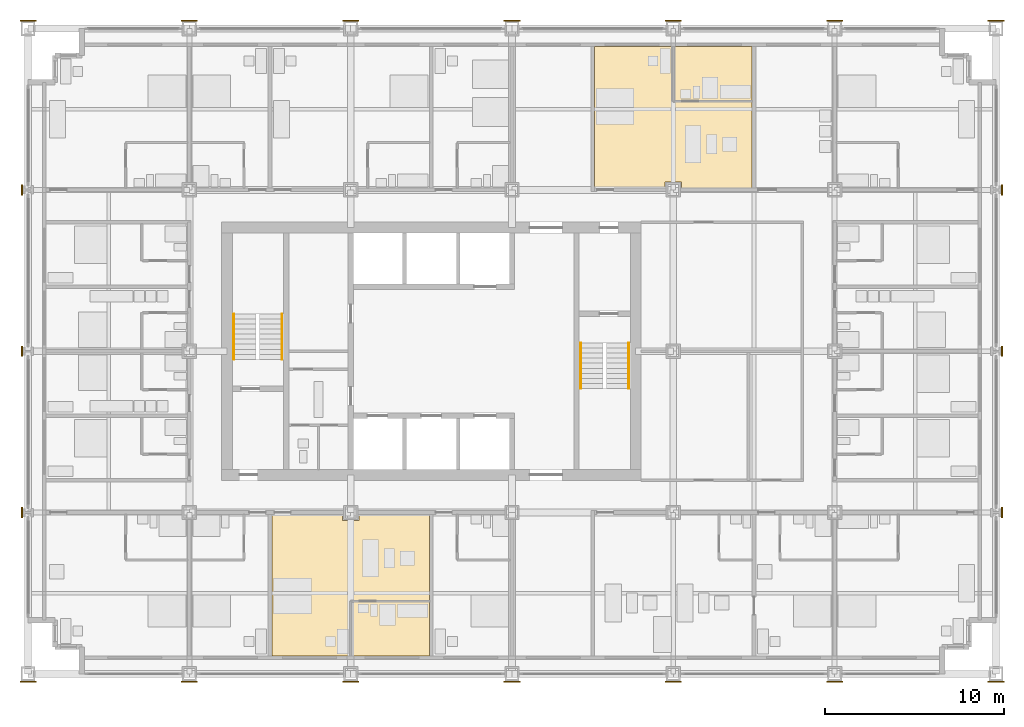
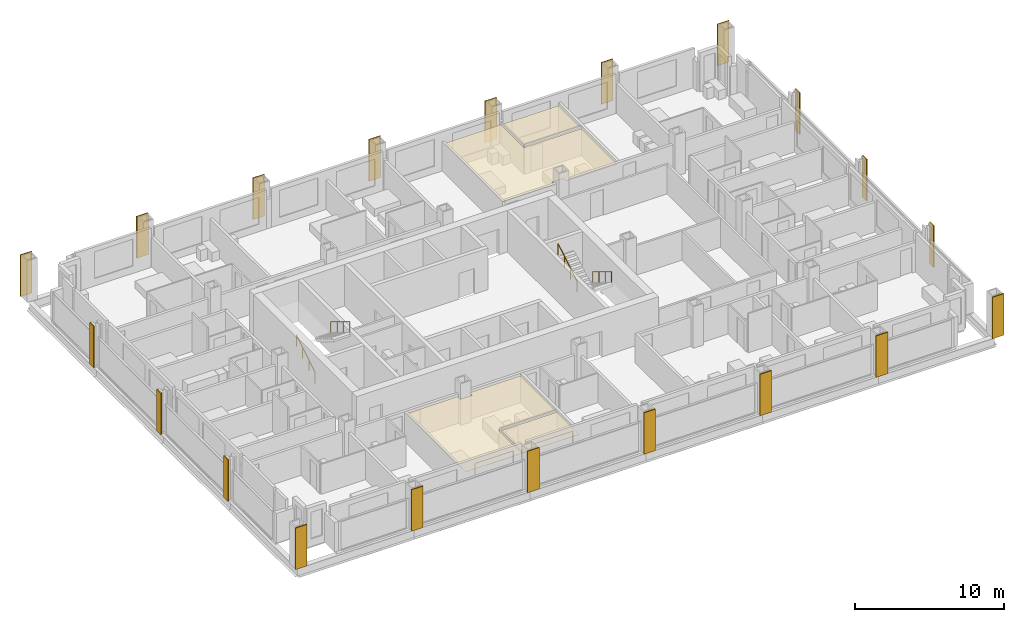
# One storey, part 16 of 18: 24 coverings, 4 railings.
"""IFC4 building model written with IfcOpenShell, lengths in metres."""

from ifc_helpers import new_model, si_unit, direction, frame, origin, origin_2d, place, context, subcontext, project, spatial, polyline, rectangle, circle, outline, extrude, material, layer, layer_set, type_object, element, save


model = new_model("IFC4")

# Units and contexts
model_context = context("Model", 3, precision=1e-05, world=origin(), true_north=direction((0.0, 1.0)))
body_context = subcontext(model_context, "Body", "Model", "MODEL_VIEW")
ifc_project = project(units=[si_unit("LENGTHUNIT", "METRE"), si_unit("AREAUNIT", "SQUARE_METRE"), si_unit("VOLUMEUNIT", "CUBIC_METRE"), si_unit("PLANEANGLEUNIT", "RADIAN"), si_unit("MASSUNIT", "GRAM", prefix="KILO")], contexts=[model_context])

# Site, building, storey
site_placement = place(None, origin())
site = spatial("IfcSite", under=ifc_project, at=site_placement, CompositionType="ELEMENT")
building_placement = place(site_placement, origin())
building = spatial("IfcBuilding", under=site, at=building_placement, Name="Loomwork Tower", CompositionType="ELEMENT")
storey_placement = place(building_placement, frame((0.0, 0.0, 51.800048828125)))
storey = spatial("IfcBuildingStorey", under=building, at=storey_placement, Name="L12", CompositionType="ELEMENT", Elevation=51.800048828125)

# Railings
ifc_material_1 = material(Name="Stainless steel handrail", Category="steel")
railing_type = type_object("IfcRailingType", Name="Handrail 900", PredefinedType="HANDRAIL", material=ifc_material_1)
railing_1_placement = place(storey_placement, frame((11.485107421875, 17.550048828125, 0.169921875)))
element("IfcRailing", 1, at=railing_1_placement, inside=storey, type_object=railing_type, Name="Stair A handrail flight 1 L12", PredefinedType="HANDRAIL", context=body_context, shape_type="SweptSolid", body=[
    extrude(circle(Radius=0.02392578125, at=origin_2d()), frame((0.0, 0.0, 0.8759765625), z_axis=(0.0, 0.85478489116, 0.518982456201), x_axis=(-1.0, 0.0, 0.0)), (0.0, 0.0, 1.0), 2.9482421875),
    extrude(circle(Radius=0.02099609375, at=origin_2d()), origin(), (0.0, 0.0, 1.0), 0.851806640625),
    extrude(circle(Radius=0.02099609375, at=origin_2d()), frame((0.0, 0.840087890625, 0.510009765625)), (0.0, 0.0, 1.0), 0.851806640625),
    extrude(circle(Radius=0.02099609375, at=origin_2d()), frame((0.0, 1.679931640625, 1.02001953125)), (0.0, 0.0, 1.0), 0.851806640625),
    extrude(circle(Radius=0.02099609375, at=origin_2d()), frame((0.0, 2.52001953125, 1.530029296875)), (0.0, 0.0, 1.0), 0.851806640625),
])
for number, where, name in (
    (2, (14.1650390625, 20.070068359375, 1.869873046875), "Stair A handrail flight 2 L12"),
    (3, (33.514892578125, 18.449951171875, 0.169921875), "Stair B handrail flight 1 L12"),
):
    element("IfcRailing", number, at=place(storey_placement, frame(where)), inside=storey, type_object=railing_type, Name=name, PredefinedType="HANDRAIL", context=body_context, shape_type="SweptSolid", body=[
        extrude(circle(Radius=0.02392578125, at=origin_2d()), frame((0.0, 0.0, 0.8759765625), z_axis=(0.0, -0.85478489116, 0.518982456201), x_axis=(1.0, 0.0, 0.0)), (0.0, 0.0, 1.0), 2.9482421875),
        extrude(circle(Radius=0.02099609375, at=origin_2d()), origin(), (0.0, 0.0, 1.0), 0.851806640625),
        extrude(circle(Radius=0.02099609375, at=origin_2d()), frame((0.0, -0.840087890625, 0.510009765625)), (0.0, 0.0, 1.0), 0.851806640625),
        extrude(circle(Radius=0.02099609375, at=origin_2d()), frame((0.0, -1.679931640625, 1.02001953125)), (0.0, 0.0, 1.0), 0.851806640625),
        extrude(circle(Radius=0.02099609375, at=origin_2d()), frame((0.0, -2.52001953125, 1.530029296875)), (0.0, 0.0, 1.0), 0.851806640625),
    ])
railing_2_placement = place(storey_placement, frame((30.8349609375, 15.929931640625, 1.869873046875)))
element("IfcRailing", 4, at=railing_2_placement, inside=storey, type_object=railing_type, Name="Stair B handrail flight 2 L12", PredefinedType="HANDRAIL", context=body_context, shape_type="SweptSolid", body=[
    extrude(circle(Radius=0.02392578125, at=origin_2d()), frame((0.0, 0.0, 0.8759765625), z_axis=(0.0, 0.85478489116, 0.518982456201), x_axis=(-1.0, 0.0, 0.0)), (0.0, 0.0, 1.0), 2.9482421875),
    extrude(circle(Radius=0.02099609375, at=origin_2d()), origin(), (0.0, 0.0, 1.0), 0.851806640625),
    extrude(circle(Radius=0.02099609375, at=origin_2d()), frame((0.0, 0.840087890625, 0.510009765625)), (0.0, 0.0, 1.0), 0.851806640625),
    extrude(circle(Radius=0.02099609375, at=origin_2d()), frame((0.0, 1.679931640625, 1.02001953125)), (0.0, 0.0, 1.0), 0.851806640625),
    extrude(circle(Radius=0.02099609375, at=origin_2d()), frame((0.0, 2.52001953125, 1.530029296875)), (0.0, 0.0, 1.0), 0.851806640625),
])

# Coverings
ifc_material_2 = material(Name="Limestone", Category="masonry")
ifc_layer_1 = layer(ifc_material_2, 0.080078125)
ifc_layer_set_1 = layer_set([ifc_layer_1], Name="Limestone pier facing 80")
covering_type_1 = type_object("IfcCoveringType", Name="Limestone pier facing 80", PredefinedType="CLADDING", material=ifc_layer_set_1)
covering_1_placement = place(storey_placement, frame((0.0, -0.43994140625, 0.0), z_axis=(0.0, 0.0, 1.0), x_axis=(1.0, 0.0, 0.0)))
element("IfcCovering", 5, at=covering_1_placement, inside=storey, type_object=covering_type_1, Name="Pier facing D/2 L12", PredefinedType="CLADDING", context=body_context, shape_type="SweptSolid", body=[
    extrude(rectangle(XDim=0.89990234375, YDim=0.080078125, at=origin_2d()), origin(), (0.0, 0.0, 1.0), 3.39990234375),
])
for number, where, z_axis, x_axis, name in (
    (6, (-0.339599609375, 9.0, 0.0), (0.0, 0.0, 1.0), (1.0, 0.0, 0.0), "Pier facing E/2 L12"),
    (7, (-0.339599609375, 18.0, 0.0), (0.0, 0.0, 1.0), (1.0, 0.0, 0.0), "Pier facing F/2 L12"),
    (8, (-0.339599609375, 27.0, 0.0), (0.0, 0.0, 1.0), (1.0, 0.0, 0.0), "Pier facing G/2 L12"),
):
    element("IfcCovering", number, at=place(storey_placement, frame(where, z_axis=z_axis, x_axis=x_axis)), inside=storey, type_object=covering_type_1, Name=name, PredefinedType="CLADDING", context=body_context, shape_type="SweptSolid", body=[
        extrude(rectangle(XDim=0.080078125, YDim=0.577392578125, at=origin_2d()), origin(), (0.0, 0.0, 1.0), 3.39990234375),
    ])
for number, where, z_axis, x_axis, name in (
    (9, (0.0, 36.43994140625, 0.0), (0.0, 0.0, 1.0), (1.0, 0.0, 0.0), "Pier facing H/2 L12"),
    (10, (9.0, -0.43994140625, 0.0), (0.0, 0.0, 1.0), (1.0, 0.0, 0.0), "Pier facing D/3 L12"),
    (11, (9.0, 36.43994140625, 0.0), (0.0, 0.0, 1.0), (1.0, 0.0, 0.0), "Pier facing H/3 L12"),
    (12, (18.0, -0.43994140625, 0.0), (0.0, 0.0, 1.0), (1.0, 0.0, 0.0), "Pier facing D/4 L12"),
    (13, (18.0, 36.43994140625, 0.0), (0.0, 0.0, 1.0), (1.0, 0.0, 0.0), "Pier facing H/4 L12"),
    (14, (27.0, -0.43994140625, 0.0), (0.0, 0.0, 1.0), (1.0, 0.0, 0.0), "Pier facing D/5 L12"),
    (15, (27.0, 36.43994140625, 0.0), (0.0, 0.0, 1.0), (1.0, 0.0, 0.0), "Pier facing H/5 L12"),
    (16, (36.0, -0.43994140625, 0.0), (0.0, 0.0, 1.0), (1.0, 0.0, 0.0), "Pier facing D/6 L12"),
    (17, (36.0, 36.43994140625, 0.0), (0.0, 0.0, 1.0), (1.0, 0.0, 0.0), "Pier facing H/6 L12"),
    (18, (45.0, -0.43994140625, 0.0), (0.0, 0.0, 1.0), (1.0, 0.0, 0.0), "Pier facing D/7 L12"),
    (19, (45.0, 36.43994140625, 0.0), (0.0, 0.0, 1.0), (1.0, 0.0, 0.0), "Pier facing H/7 L12"),
    (20, (54.0, -0.43994140625, 0.0), (0.0, 0.0, 1.0), (1.0, 0.0, 0.0), "Pier facing D/8 L12"),
):
    element("IfcCovering", number, at=place(storey_placement, frame(where, z_axis=z_axis, x_axis=x_axis)), inside=storey, type_object=covering_type_1, Name=name, PredefinedType="CLADDING", context=body_context, shape_type="SweptSolid", body=[
        extrude(rectangle(XDim=0.89990234375, YDim=0.080078125, at=origin_2d()), origin(), (0.0, 0.0, 1.0), 3.39990234375),
    ])
for number, where, z_axis, x_axis, name in (
    (21, (54.339599609375, 9.0, 0.0), (0.0, 0.0, 1.0), (1.0, 0.0, 0.0), "Pier facing E/8 L12"),
    (22, (54.339599609375, 18.0, 0.0), (0.0, 0.0, 1.0), (1.0, 0.0, 0.0), "Pier facing F/8 L12"),
    (23, (54.339599609375, 27.0, 0.0), (0.0, 0.0, 1.0), (1.0, 0.0, 0.0), "Pier facing G/8 L12"),
):
    element("IfcCovering", number, at=place(storey_placement, frame(where, z_axis=z_axis, x_axis=x_axis)), inside=storey, type_object=covering_type_1, Name=name, PredefinedType="CLADDING", context=body_context, shape_type="SweptSolid", body=[
        extrude(rectangle(XDim=0.080078125, YDim=0.577392578125, at=origin_2d()), origin(), (0.0, 0.0, 1.0), 3.39990234375),
    ])
covering_2_placement = place(storey_placement, frame((54.0, 36.43994140625, 0.0), z_axis=(0.0, 0.0, 1.0), x_axis=(1.0, 0.0, 0.0)))
element("IfcCovering", 24, at=covering_2_placement, inside=storey, type_object=covering_type_1, Name="Pier facing H/8 L12", PredefinedType="CLADDING", context=body_context, shape_type="SweptSolid", body=[
    extrude(rectangle(XDim=0.89990234375, YDim=0.080078125, at=origin_2d()), origin(), (0.0, 0.0, 1.0), 3.39990234375),
])
ifc_material_3 = material(Name="Mineral fibre acoustic tile on suspension grid")
ifc_layer_2 = layer(ifc_material_3, 0.02490234375)
ifc_layer_set_2 = layer_set([ifc_layer_2], Name="Suspended acoustic ceiling")
covering_type_2 = type_object("IfcCoveringType", Name="Suspended acoustic ceiling", PredefinedType="CEILING", material=ifc_layer_set_2)
covering_3_placement = place(storey_placement, frame((0.0, 0.0, 2.175048828125)))
element("IfcCovering", 25, at=covering_3_placement, inside=storey, type_object=covering_type_2, Name="Ceiling Spa bathroom L12", PredefinedType="CEILING", context=body_context, shape_type="SweptSolid", body=[
    extrude(outline(polyline([(22.39990234375, 4.0), (22.39990234375, 1.0), (18.050048828125, 1.0), (18.050048828125, 4.0), (22.39990234375, 4.0)])), origin(), (0.0, 0.0, 1.0), 0.02490234375),
])
covering_4_placement = place(storey_placement, frame((0.0, 0.0, 2.175048828125)))
element("IfcCovering", 26, at=covering_4_placement, inside=storey, type_object=covering_type_2, Name="Ceiling Spa suite L12", PredefinedType="CEILING", context=body_context, shape_type="SweptSolid", body=[
    extrude(outline(polyline([(17.550048828125, 8.89990234375), (17.550048828125, 8.550048828125), (18.449951171875, 8.550048828125), (18.449951171875, 8.89990234375), (22.39990234375, 8.89990234375), (22.39990234375, 4.10009765625), (17.949951171875, 4.10009765625), (17.949951171875, 1.0), (13.60009765625, 1.0), (13.60009765625, 8.89990234375), (17.550048828125, 8.89990234375)])), origin(), (0.0, 0.0, 1.0), 0.02490234375),
])
covering_5_placement = place(storey_placement, frame((0.0, 0.0, 2.175048828125)))
element("IfcCovering", 27, at=covering_5_placement, inside=storey, type_object=covering_type_2, Name="Ceiling Spa bathroom L12", PredefinedType="CEILING", context=body_context, shape_type="SweptSolid", body=[
    extrude(outline(polyline([(36.050048828125, 35.0), (40.39990234375, 35.0), (40.39990234375, 32.0), (36.050048828125, 32.0), (36.050048828125, 35.0)])), origin(), (0.0, 0.0, 1.0), 0.02490234375),
])
covering_6_placement = place(storey_placement, frame((0.0, 0.0, 2.175048828125)))
element("IfcCovering", 28, at=covering_6_placement, inside=storey, type_object=covering_type_2, Name="Ceiling Spa suite L12", PredefinedType="CEILING", context=body_context, shape_type="SweptSolid", body=[
    extrude(outline(polyline([(31.60009765625, 35.0), (35.949951171875, 35.0), (35.949951171875, 31.89990234375), (40.39990234375, 31.89990234375), (40.39990234375, 27.10009765625), (36.449951171875, 27.10009765625), (36.449951171875, 27.449951171875), (35.550048828125, 27.449951171875), (35.550048828125, 27.10009765625), (31.60009765625, 27.10009765625), (31.60009765625, 35.0)])), origin(), (0.0, 0.0, 1.0), 0.02490234375),
])

save(model, "model.ifc")
